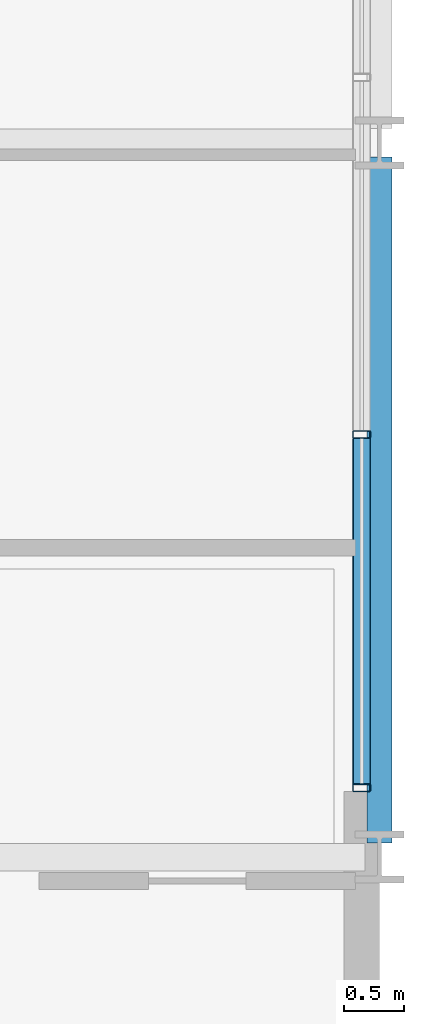
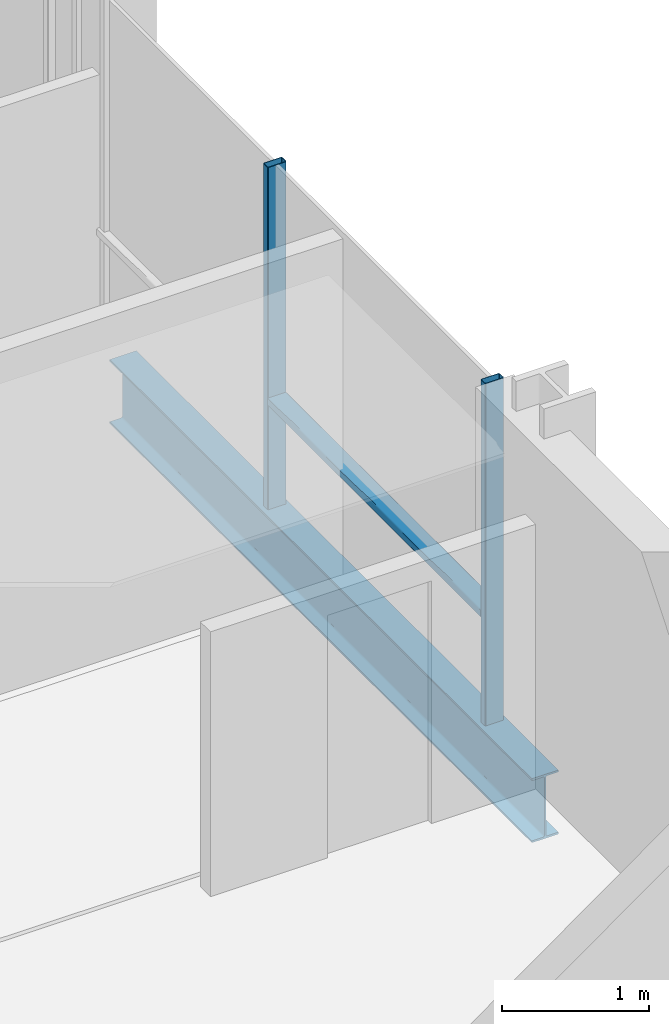
# One storey, part 15 of 40: 3 members, 1 beam, 1 element without a shape of its own.
"""IFC4 building model written with IfcOpenShell, lengths in metres."""

from ifc_helpers import new_model, si_unit, direction, frame, origin, origin_2d, place, context, subcontext, project, spatial, hollow_rectangle, i_section, extrude, material, layer, layer_set, material_profile, profile_set, type_object, element, aggregate, save


model = new_model("IFC4")

# Units and contexts
model_context = context("Model", 3, precision=1e-05, world=origin(), true_north=direction((0.0, 1.0)))
body_context = subcontext(model_context, "Body", "Model", "MODEL_VIEW")
ifc_project = project(units=[si_unit("LENGTHUNIT", "METRE"), si_unit("AREAUNIT", "SQUARE_METRE"), si_unit("VOLUMEUNIT", "CUBIC_METRE"), si_unit("PLANEANGLEUNIT", "RADIAN"), si_unit("MASSUNIT", "GRAM", prefix="KILO")], contexts=[model_context])

# Site, building, storey
site_placement = place(None, origin())
site = spatial("IfcSite", under=ifc_project, at=site_placement, CompositionType="ELEMENT")
building_placement = place(site_placement, origin())
building = spatial("IfcBuilding", under=site, at=building_placement, Name="Brevholm Reach", CompositionType="ELEMENT")
storey_placement = place(building_placement, frame((0.0, 0.0, 131.39990234375)))
storey = spatial("IfcBuildingStorey", under=building, at=storey_placement, Name="L39", CompositionType="ELEMENT", Elevation=131.39990234375)

# Beam
ifc_material_1 = material(Name="Structural Steel S355J2", Category="steel")
ifc_material_profile_1 = material_profile(ifc_material_1, i_section(OverallWidth=0.209228515625, OverallDepth=0.533203125, WebThickness=0.010009765625, FlangeThickness=0.015625, FilletRadius=0.0126953125, at=origin_2d()), Name="UKB 533x210x92")
ifc_profile_set_1 = profile_set([ifc_material_profile_1], Name="Structural Steel S355J2")
beam_type = type_object("IfcBeamType", Name="BM-SP533", PredefinedType="SPANDREL", material=ifc_profile_set_1)
beam_placement = place(storey_placement, frame((60.0, 10.1201171875, -0.486572265625), z_axis=(0.0, 1.0, 0.0), x_axis=(-1.0, 0.0, 0.0)))
element("IfcBeam", 1, at=beam_placement, inside=storey, type_object=beam_type, Name="L39 SP-02 Framing Beam", PredefinedType="SPANDREL", context=body_context, shape_type="SweptSolid", body=[
    extrude(i_section(OverallWidth=0.209228515625, OverallDepth=0.533203125, WebThickness=0.010009765625, FlangeThickness=0.015625, FilletRadius=0.0126953125, at=origin_2d()), origin(), (0.0, 0.0, 1.0), 5.759765625),
])

# Curtain wall, members
ifc_material_2 = material(Name="Dark Anodised Aluminium 6063-T6 and Solar-Control Glass", Category="aluminium")
ifc_layer = layer(ifc_material_2, 0.14990234375)
ifc_layer_set = layer_set([ifc_layer], Name="Dark Anodised Aluminium 6063-T6 and Solar-Control Glass")
curtain_wall_type = type_object("IfcCurtainWallType", Name="CW-01", PredefinedType="NOTDEFINED", material=ifc_layer_set)
curtain_wall_placement = place(storey_placement, origin())
curtain_wall = element("IfcCurtainWall", 2, at=curtain_wall_placement, inside=storey, type_object=curtain_wall_type, Name="L39 Curtain Wall CW-01", PredefinedType="NOTDEFINED")
ifc_material_3 = material(Name="Dark Anodised Aluminium 6063-T6", Category="aluminium")
ifc_material_profile_2 = material_profile(ifc_material_3, hollow_rectangle(XDim=0.06494140625, YDim=0.14990234375, WallThickness=0.0048828125, InnerFilletRadius=0.0048828125, OuterFilletRadius=0.010009765625, at=origin_2d()), Name="RHS 150x65x5")
ifc_profile_set_2 = profile_set([ifc_material_profile_2], Name="Dark Anodised Aluminium 6063-T6")
member_type_1 = type_object("IfcMemberType", Name="CWM-150", PredefinedType="MULLION", material=ifc_profile_set_2)
member_1_placement = place(storey_placement, frame((59.85009765625, 10.58251953125, 0.0), z_axis=(0.0, 0.0, 1.0), x_axis=(0.0, 1.0, 0.0)))
member_1 = element("IfcMember", 3, at=member_1_placement, type_object=member_type_1, Name="CM-150 Mullion 1", PredefinedType="MULLION", context=body_context, shape_type="SweptSolid", body=[
    extrude(hollow_rectangle(XDim=0.06494140625, YDim=0.14990234375, WallThickness=0.0048828125, InnerFilletRadius=0.0048828125, OuterFilletRadius=0.010009765625, at=origin_2d()), origin(), (0.0, 0.0, 1.0), 2.85009765625),
])
member_2_placement = place(storey_placement, frame((59.85009765625, 13.550048828125, 0.0), z_axis=(0.0, 0.0, 1.0), x_axis=(0.0, 1.0, 0.0)))
member_2 = element("IfcMember", 4, at=member_2_placement, type_object=member_type_1, Name="CM-150 Mullion 2", PredefinedType="MULLION", context=body_context, shape_type="SweptSolid", body=[
    extrude(hollow_rectangle(XDim=0.06494140625, YDim=0.14990234375, WallThickness=0.0048828125, InnerFilletRadius=0.0048828125, OuterFilletRadius=0.010009765625, at=origin_2d()), origin(), (0.0, 0.0, 1.0), 2.85009765625),
])
ifc_material_4 = material(Name="Dark Anodised Aluminium 6063-T6", Category="aluminium")
ifc_material_profile_3 = material_profile(ifc_material_4, hollow_rectangle(XDim=0.06494140625, YDim=0.14990234375, WallThickness=0.0048828125, InnerFilletRadius=0.0048828125, OuterFilletRadius=0.010009765625, at=origin_2d()), Name="RHS 150x65x5")
ifc_profile_set_3 = profile_set([ifc_material_profile_3], Name="Dark Anodised Aluminium 6063-T6")
member_type_2 = type_object("IfcMemberType", Name="CWT-150", PredefinedType="NOTDEFINED", material=ifc_profile_set_3)
member_3_placement = place(storey_placement, frame((59.85009765625, 10.614990234375, 0.900146484375), z_axis=(0.0, 1.0, 0.0), x_axis=(0.0, 0.0, 1.0)))
member_3 = element("IfcMember", 5, at=member_3_placement, type_object=member_type_2, Name="CT-150 Transom 1.1", ObjectType="TRANSOM", PredefinedType="USERDEFINED", context=body_context, shape_type="SweptSolid", body=[
    extrude(hollow_rectangle(XDim=0.06494140625, YDim=0.14990234375, WallThickness=0.0048828125, InnerFilletRadius=0.0048828125, OuterFilletRadius=0.010009765625, at=origin_2d()), origin(), (0.0, 0.0, 1.0), 2.902587890625),
])
aggregate(curtain_wall, [member_1, member_2, member_3])

save(model, "model.ifc")
